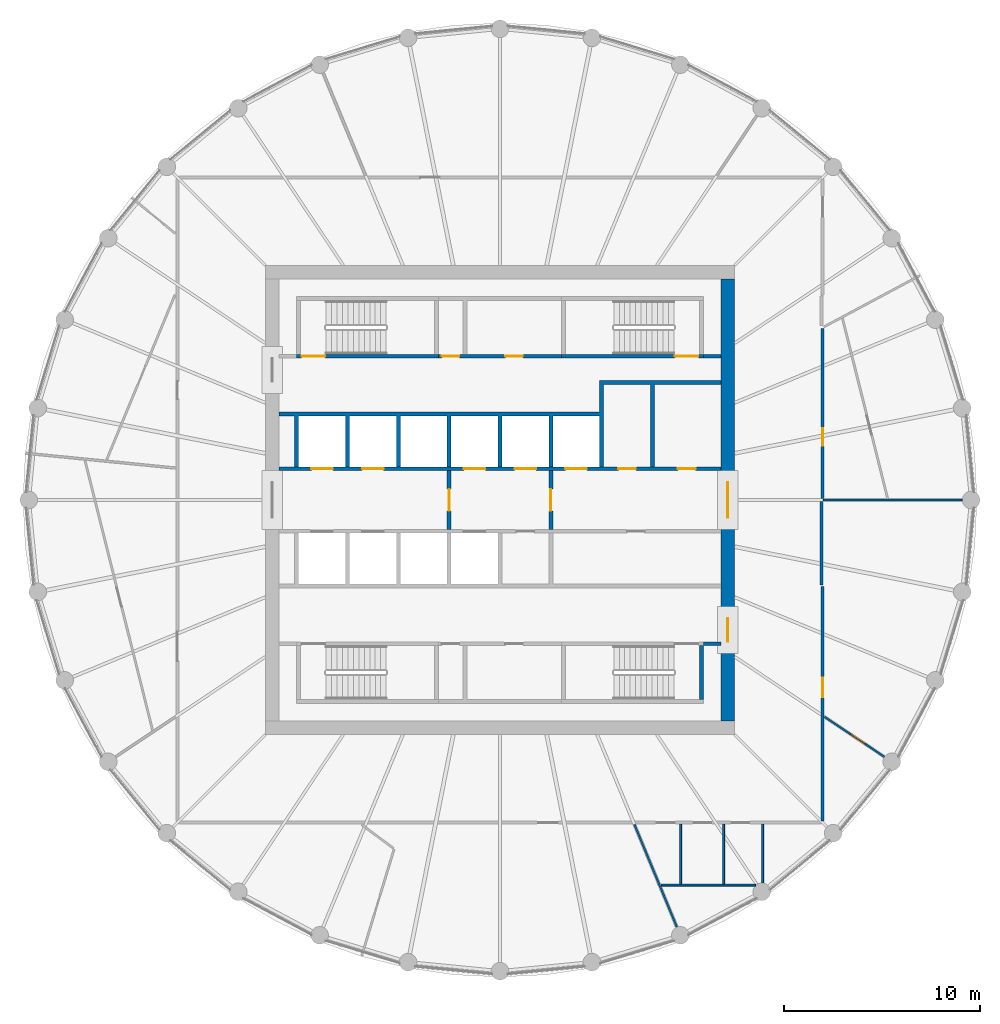
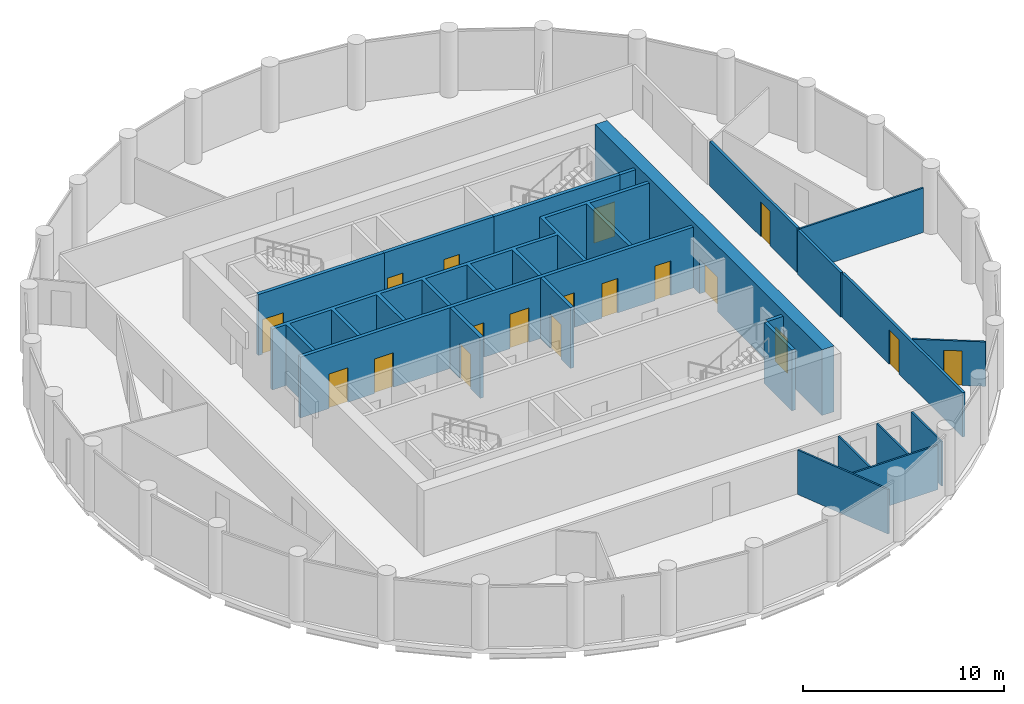
# One storey, part 5 of 7: 21 walls, 18 doors, 18 openings.
"""IFC4 building model written with IfcOpenShell, lengths in metres."""

import ifcopenshell
import ifcopenshell.guid

model = None  # the IFC model being written
_history = None  # IfcOwnerHistory: only IFC2X3 demands one
_inside = {}  # id of a spatial element -> (the spatial element, [elements in it])
_under = {}  # id of a project, library or spatial element -> (it, [spatial elements below it])
_declared = {}  # id of a project -> (the project, [libraries it declares])
_typed = {}  # id of a type object -> (the type object, [elements of that type])
_made_of = {}  # id of a material, layer set ... -> (it, [elements and type objects made of it])


def new_model(schema):
    """Start an empty IFC model of exactly this schema.

    Asked for "IFC4X3", IfcOpenShell would pick the latest addendum, in which some entities
    have other attributes; the version numbers below select the first issue.
    IFC2X3 requires an IfcOwnerHistory on every rooted entity: one is made here for all.
    """
    global model, _history
    if schema == "IFC4X3":
        model = ifcopenshell.file(schema_version=(4, 3, 0, 0))
    else:
        model = ifcopenshell.file(schema=schema)
    _inside.clear()
    _under.clear()
    _declared.clear()
    _typed.clear()
    _made_of.clear()
    _history = None
    if model.schema == "IFC2X3":
        org = make("IfcOrganization", Name="unknown")
        user = make(
            "IfcPersonAndOrganization",
            ThePerson=make("IfcPerson", FamilyName="unknown"),
            TheOrganization=org,
        )
        app = make(
            "IfcApplication",
            ApplicationDeveloper=org,
            Version="unknown",
            ApplicationFullName="unknown",
            ApplicationIdentifier="unknown",
        )
        _history = make(
            "IfcOwnerHistory",
            OwningUser=user,
            OwningApplication=app,
            ChangeAction="ADDED",
            CreationDate=0,
        )
    return model


def make(cls, **values):
    """One entity of the class cls with the attributes given. An attribute that is None is left unset."""
    return model.create_entity(
        cls, **{name: value for name, value in values.items() if value is not None}
    )


def rooted(cls, **values):
    """An entity with a GlobalId (a new one), such as an element, a storey or a relation."""
    return make(cls, GlobalId=ifcopenshell.guid.new(), OwnerHistory=_history, **values)


def si_unit(unit_type, name, prefix=None):
    """IfcSIUnit, for example si_unit("LENGTHUNIT", "METRE", prefix="MILLI")."""
    return make("IfcSIUnit", UnitType=unit_type, Prefix=prefix, Name=name)


def assignment(units):
    """IfcUnitAssignment: the units of a project."""
    return None if units is None else make("IfcUnitAssignment", Units=units)


def point(xyz):
    """IfcCartesianPoint."""
    return None if xyz is None else make("IfcCartesianPoint", Coordinates=xyz)


def direction(xyz):
    """IfcDirection."""
    return None if xyz is None else make("IfcDirection", DirectionRatios=xyz)


def frame(location, z_axis=None, x_axis=None):
    """IfcAxis2Placement3D, a coordinate frame: its origin and axes. An axis left out is left unset."""
    return make(
        "IfcAxis2Placement3D",
        Location=point(location),
        Axis=direction(z_axis),
        RefDirection=direction(x_axis),
    )


def frame_2d(location, x_axis=None):
    """IfcAxis2Placement2D, a coordinate frame in the plane: its origin and x axis."""
    return make(
        "IfcAxis2Placement2D", Location=point(location), RefDirection=direction(x_axis)
    )


def origin():
    """The frame at (0, 0, 0) with its axes left unset."""
    return frame((0.0, 0.0, 0.0))


def place(relative_to, where):
    """IfcLocalPlacement: puts the frame where relative to a parent placement (None: the world)."""
    return make(
        "IfcLocalPlacement", PlacementRelTo=relative_to, RelativePlacement=where
    )


def context(
    kind, dimensions, precision=None, world=None, true_north=None, identifier=None
):
    """IfcGeometricRepresentationContext, for example the 3D "Model" context."""
    return make(
        "IfcGeometricRepresentationContext",
        ContextIdentifier=identifier,
        ContextType=kind,
        CoordinateSpaceDimension=dimensions,
        Precision=precision,
        WorldCoordinateSystem=world,
        TrueNorth=true_north,
    )


def subcontext(parent, identifier, kind, view, scale=None):
    """IfcGeometricRepresentationSubContext, for example "Body" below "Model"."""
    return make(
        "IfcGeometricRepresentationSubContext",
        ContextIdentifier=identifier,
        ContextType=kind,
        ParentContext=parent,
        TargetScale=scale,
        TargetView=view,
    )


def project(units=None, contexts=None):
    """IfcProject with its units and contexts."""
    return rooted(
        "IfcProject",
        Name="project",
        RepresentationContexts=contexts,
        UnitsInContext=assignment(units),
    )


def spatial(cls, under=None, at=None, **own):
    """A site, building, storey or space (cls), placed at a placement, below another one or the project."""
    s = rooted(cls, ObjectPlacement=at, **own)
    if under is not None:
        _under.setdefault(under.id(), (under, []))[1].append(s)
    return s


def polyline(points):
    """IfcPolyline through the points."""
    return make("IfcPolyline", Points=[point(p) for p in points])


def profile(cls, at=None, kind="AREA", **sizes):
    """A parametric profile (cls). Its sizes go by their IFC names, for example OverallWidth=200.0."""
    return make(cls, ProfileType=kind, Position=at, **sizes)


def rectangle(**sizes):
    """IfcRectangleProfileDef."""
    return profile("IfcRectangleProfileDef", **sizes)


def outline(outer, holes=None, kind="AREA"):
    """IfcArbitraryClosedProfileDef: a profile drawn as a closed curve; with holes, ...WithVoids."""
    if holes is None:
        return make("IfcArbitraryClosedProfileDef", ProfileType=kind, OuterCurve=outer)
    return make(
        "IfcArbitraryProfileDefWithVoids",
        ProfileType=kind,
        OuterCurve=outer,
        InnerCurves=holes,
    )


def extrude(swept, where, along, depth):
    """IfcExtrudedAreaSolid: the profile swept, set in the frame where, extruded along a direction by depth."""
    return make(
        "IfcExtrudedAreaSolid",
        SweptArea=swept,
        Position=where,
        ExtrudedDirection=direction(along),
        Depth=depth,
    )


def shape(context_of_items, identifier, shape_type, items):
    """IfcShapeRepresentation: the items that make up one representation, for example the "Body"."""
    return make(
        "IfcShapeRepresentation",
        ContextOfItems=context_of_items,
        RepresentationIdentifier=identifier,
        RepresentationType=shape_type,
        Items=items,
    )


def material(Name=None, Category=None):
    """IfcMaterial."""
    return make("IfcMaterial", Name=Name, Category=Category)


def layer(
    of_material, thickness, ventilated=None, Name=None, Category=None, Priority=None
):
    """IfcMaterialLayer: one layer of a wall or slab, of a material (None: an air gap)."""
    return make(
        "IfcMaterialLayer",
        Material=of_material,
        LayerThickness=thickness,
        IsVentilated=ventilated,
        Name=Name,
        Category=Category,
        Priority=Priority,
    )


def layer_set(layers, Name=None):
    """IfcMaterialLayerSet."""
    return make("IfcMaterialLayerSet", MaterialLayers=layers, LayerSetName=Name)


def made_of(thing, what):
    """Note that an element or type object is made of a material, layer set ...; save() writes the relation."""
    if what is not None:
        _made_of.setdefault(what.id(), (what, []))[1].append(thing)
    return thing


def type_object(cls, material=None, **own):
    """A type object (cls), such as IfcWallType, which elements share."""
    return made_of(rooted(cls, **own), material)


def element(
    cls,
    number,
    at=None,
    inside=None,
    cuts=None,
    type_object=None,
    material=None,
    context=None,
    identifier="Body",
    shape_type=None,
    held_by="IfcProductDefinitionShape",
    body=None,
    shapes=None,
    **own,
):
    """One element of the class cls, such as IfcWall. Its Tag is "e" and its number.

    at: its placement. inside: the storey or other place that contains it. cuts: it is an
    opening in that element (IfcRelVoidsElement). A single representation is given by context,
    identifier, shape_type and body (its items); several are given by shapes. held_by: the class
    of the entity that holds the representations. save() writes the other relations.
    """
    e = rooted(cls, Tag="e%d" % number, ObjectPlacement=at, **own)
    if body is not None:
        shapes = [shape(context, identifier, shape_type, body)]
    if shapes is not None:
        e.Representation = make(held_by, Representations=shapes)
    if inside is not None:
        _inside.setdefault(inside.id(), (inside, []))[1].append(e)
    if cuts is not None:
        rooted(
            "IfcRelVoidsElement", RelatingBuildingElement=cuts, RelatedOpeningElement=e
        )
    if type_object is not None:
        _typed.setdefault(type_object.id(), (type_object, []))[1].append(e)
    return made_of(e, material)


def fill(opening, filler):
    """IfcRelFillsElement: the door or window that sits in an opening."""
    return rooted(
        "IfcRelFillsElement",
        RelatingOpeningElement=opening,
        RelatedBuildingElement=filler,
    )


def aggregate(whole, parts):
    """IfcRelAggregates: a whole, such as a stair, and the parts it consists of."""
    return rooted("IfcRelAggregates", RelatingObject=whole, RelatedObjects=parts)


def save(model, path):
    """Write the relations noted so far, then the file.

    IfcRelAggregates (storeys below a building ...), IfcRelContainedInSpatialStructure (elements
    in a storey), IfcRelDefinesByType, IfcRelAssociatesMaterial and IfcRelDeclares: one each for
    every whole, place, type object, material and project.
    """
    for whole, parts in _under.values():
        aggregate(whole, parts)
    for where, things in _inside.values():
        rooted(
            "IfcRelContainedInSpatialStructure",
            RelatedElements=things,
            RelatingStructure=where,
        )
    for kind, things in _typed.values():
        rooted("IfcRelDefinesByType", RelatedObjects=things, RelatingType=kind)
    for what, things in _made_of.values():
        rooted("IfcRelAssociatesMaterial", RelatedObjects=things, RelatingMaterial=what)
    for by, libraries in _declared.values():
        rooted("IfcRelDeclares", RelatingContext=by, RelatedDefinitions=libraries)
    model.write(path)


model = new_model("IFC4")

# Units and contexts
model_context = context("Model", 3, precision=1e-05, world=origin(), true_north=direction((0.0, 1.0)))
body_context = subcontext(model_context, "Body", "Model", "MODEL_VIEW")
ifc_project = project(units=[si_unit("LENGTHUNIT", "METRE"), si_unit("AREAUNIT", "SQUARE_METRE"), si_unit("VOLUMEUNIT", "CUBIC_METRE"), si_unit("PLANEANGLEUNIT", "RADIAN"), si_unit("MASSUNIT", "GRAM", prefix="KILO")], contexts=[model_context])

# Site, building, storey
site_placement = place(None, origin())
site = spatial("IfcSite", under=ifc_project, at=site_placement, CompositionType="ELEMENT")
building_placement = place(site_placement, origin())
building = spatial("IfcBuilding", under=site, at=building_placement, Name="Corvane Civic Tower", CompositionType="ELEMENT")
storey_placement = place(building_placement, frame((0.0, 0.0, 271.0)))
storey = spatial("IfcBuildingStorey", under=building, at=storey_placement, Name="L64", CompositionType="ELEMENT", Elevation=271.0)

# Wall, openings, doors
ifc_material_1 = material(Name="Concrete C40/50", Category="concrete")
ifc_layer_1 = layer(ifc_material_1, 0.699951171875)
ifc_layer_set_1 = layer_set([ifc_layer_1], Name="Concrete C40/50")
wall_type_1 = type_object("IfcWallType", Name="CORE WALL 700 C40/50", PredefinedType="SHEAR", material=ifc_layer_set_1)
wall_1_placement = place(storey_placement, frame((11.64990234375, -11.300048828125, 0.0), z_axis=(0.0, 0.0, 1.0), x_axis=(0.0, 1.0, 0.0)))
wall_1 = element("IfcWall", 1, at=wall_1_placement, inside=storey, type_object=wall_type_1, Name="W-L64-core-E", PredefinedType="SHEAR", context=body_context, shape_type="SweptSolid", body=[
    extrude(rectangle(XDim=22.60009765625, YDim=0.699951171875, at=frame_2d((11.300048828125, 0.0))), origin(), (0.0, 0.0, 1.0), 4.0),
])
opening_1_placement = place(wall_1_placement, frame((10.39990234375, 0.0, 0.0)))
opening_1 = element("IfcOpeningElement", 2, at=opening_1_placement, cuts=wall_1, Name="Opening L64.C16", PredefinedType="OPENING", context=body_context, shape_type="SweptSolid", body=[
    extrude(rectangle(XDim=1.800048828125, YDim=2.10009765625, at=frame_2d((0.89990234375, 1.050048828125))), frame((0.0, 0.35986328125, 0.0), z_axis=(0.0, -1.0, 0.0), x_axis=(1.0, 0.0, 0.0)), (0.0, 0.0, 1.0), 0.719970703125),
])
opening_2_placement = place(wall_1_placement, frame((4.050048828125, 0.0, 0.0)))
opening_2 = element("IfcOpeningElement", 3, at=opening_2_placement, cuts=wall_1, Name="Opening L64.C18", PredefinedType="OPENING", context=body_context, shape_type="SweptSolid", body=[
    extrude(rectangle(XDim=1.199951171875, YDim=2.10009765625, at=frame_2d((0.60009765625, 1.050048828125))), frame((0.0, 0.35986328125, 0.0), z_axis=(0.0, -1.0, 0.0), x_axis=(1.0, 0.0, 0.0)), (0.0, 0.0, 1.0), 0.719970703125),
])
ifc_material_2 = material(Name="Steel fire door leaf", Category="steel")
door_type_1 = type_object("IfcDoorType", Name="CR-DOOR-CORE-1800", OperationType="DOUBLE_DOOR_SINGLE_SWING", PredefinedType="DOOR", material=ifc_material_2)
door_1_placement = place(opening_1_placement, origin())
door_1 = element("IfcDoor", 4, at=door_1_placement, inside=storey, type_object=door_type_1, Name="L64 door", OperationType="DOUBLE_DOOR_SINGLE_SWING", OverallHeight=2.10009765625, OverallWidth=1.800048828125, PredefinedType="DOOR", context=body_context, shape_type="SweptSolid", body=[
    extrude(rectangle(XDim=1.800048828125, YDim=2.10009765625, at=frame_2d((0.89990234375, 1.050048828125))), frame((0.0, 0.02490234375, 0.0), z_axis=(0.0, -1.0, 0.0), x_axis=(1.0, 0.0, 0.0)), (0.0, 0.0, 1.0), 0.050048828125),
])
fill(opening_1, door_1)
door_2_placement = place(opening_2_placement, origin())
door_2 = element("IfcDoor", 5, at=door_2_placement, inside=storey, type_object=door_type_1, Name="L64 door", OperationType="DOUBLE_DOOR_SINGLE_SWING", OverallHeight=2.10009765625, OverallWidth=1.199951171875, PredefinedType="DOOR", context=body_context, shape_type="SweptSolid", body=[
    extrude(rectangle(XDim=1.199951171875, YDim=2.10009765625, at=frame_2d((0.60009765625, 1.050048828125))), frame((0.0, 0.02490234375, 0.0), z_axis=(0.0, -1.0, 0.0), x_axis=(1.0, 0.0, 0.0)), (0.0, 0.0, 1.0), 0.050048828125),
])
fill(opening_2, door_2)

ifc_material_3 = material(Name="Concrete C30/37", Category="concrete")
ifc_layer_2 = layer(ifc_material_3, 0.199951171875)
ifc_layer_set_2 = layer_set([ifc_layer_2], Name="Concrete C30/37")
wall_type_2 = type_object("IfcWallType", Name="CR-WALL-200", PredefinedType="PARTITIONING", material=ifc_layer_set_2)
wall_2_placement = place(storey_placement, frame((-11.300048828125, 1.60009765625, 0.0), z_axis=(0.0, 0.0, 1.0), x_axis=(1.0, 0.0, 0.0)))
wall_2 = element("IfcWall", 6, at=wall_2_placement, inside=storey, type_object=wall_type_2, Name="L64 lift shaft wall", PredefinedType="PARTITIONING", context=body_context, shape_type="SweptSolid", body=[
    extrude(rectangle(XDim=22.60009765625, YDim=0.199951171875, at=frame_2d((11.300048828125, 0.0))), origin(), (0.0, 0.0, 1.0), 3.699951171875),
])
opening_3_placement = place(wall_2_placement, frame((1.64990234375, 0.0, 0.0)))
opening_3 = element("IfcOpeningElement", 7, at=opening_3_placement, cuts=wall_2, Name="Opening LD", PredefinedType="OPENING", context=body_context, shape_type="SweptSolid", body=[
    extrude(rectangle(XDim=1.10009765625, YDim=2.10009765625, at=frame_2d((0.550048828125, 1.050048828125))), frame((0.0, 0.10986328125, 0.0), z_axis=(0.0, -1.0, 0.0), x_axis=(1.0, 0.0, 0.0)), (0.0, 0.0, 1.0), 0.219970703125),
])
opening_4_placement = place(wall_2_placement, frame((4.25, 0.0, 0.0)))
opening_4 = element("IfcOpeningElement", 8, at=opening_4_placement, cuts=wall_2, Name="Opening LD", PredefinedType="OPENING", context=body_context, shape_type="SweptSolid", body=[
    extrude(rectangle(XDim=1.10009765625, YDim=2.10009765625, at=frame_2d((0.550048828125, 1.050048828125))), frame((0.0, 0.10986328125, 0.0), z_axis=(0.0, -1.0, 0.0), x_axis=(1.0, 0.0, 0.0)), (0.0, 0.0, 1.0), 0.219970703125),
])
opening_5_placement = place(wall_2_placement, frame((9.449951171875, 0.0, 0.0)))
opening_5 = element("IfcOpeningElement", 9, at=opening_5_placement, cuts=wall_2, Name="Opening LD", PredefinedType="OPENING", context=body_context, shape_type="SweptSolid", body=[
    extrude(rectangle(XDim=1.10009765625, YDim=2.10009765625, at=frame_2d((0.550048828125, 1.050048828125))), frame((0.0, 0.10986328125, 0.0), z_axis=(0.0, -1.0, 0.0), x_axis=(1.0, 0.0, 0.0)), (0.0, 0.0, 1.0), 0.219970703125),
])
opening_6_placement = place(wall_2_placement, frame((12.050048828125, 0.0, 0.0)))
opening_6 = element("IfcOpeningElement", 10, at=opening_6_placement, cuts=wall_2, Name="Opening LD", PredefinedType="OPENING", context=body_context, shape_type="SweptSolid", body=[
    extrude(rectangle(XDim=1.10009765625, YDim=2.10009765625, at=frame_2d((0.550048828125, 1.050048828125))), frame((0.0, 0.10986328125, 0.0), z_axis=(0.0, -1.0, 0.0), x_axis=(1.0, 0.0, 0.0)), (0.0, 0.0, 1.0), 0.219970703125),
])
opening_7_placement = place(wall_2_placement, frame((14.64990234375, 0.0, 0.0)))
opening_7 = element("IfcOpeningElement", 11, at=opening_7_placement, cuts=wall_2, Name="Opening LD", PredefinedType="OPENING", context=body_context, shape_type="SweptSolid", body=[
    extrude(rectangle(XDim=1.10009765625, YDim=2.10009765625, at=frame_2d((0.550048828125, 1.050048828125))), frame((0.0, 0.10986328125, 0.0), z_axis=(0.0, -1.0, 0.0), x_axis=(1.0, 0.0, 0.0)), (0.0, 0.0, 1.0), 0.219970703125),
])
opening_8_placement = place(wall_2_placement, frame((17.35009765625, 0.0, 0.0)))
opening_8 = element("IfcOpeningElement", 12, at=opening_8_placement, cuts=wall_2, Name="Opening L64.C01", PredefinedType="OPENING", context=body_context, shape_type="SweptSolid", body=[
    extrude(rectangle(XDim=0.89990234375, YDim=2.10009765625, at=frame_2d((0.449951171875, 1.050048828125))), frame((0.0, 0.10986328125, 0.0), z_axis=(0.0, -1.0, 0.0), x_axis=(1.0, 0.0, 0.0)), (0.0, 0.0, 1.0), 0.219970703125),
])
opening_9_placement = place(wall_2_placement, frame((20.39990234375, 0.0, 0.0)))
opening_9 = element("IfcOpeningElement", 13, at=opening_9_placement, cuts=wall_2, Name="Opening L64.C02", PredefinedType="OPENING", context=body_context, shape_type="SweptSolid", body=[
    extrude(rectangle(XDim=0.89990234375, YDim=2.10009765625, at=frame_2d((0.449951171875, 1.050048828125))), frame((0.0, 0.10986328125, 0.0), z_axis=(0.0, -1.0, 0.0), x_axis=(1.0, 0.0, 0.0)), (0.0, 0.0, 1.0), 0.219970703125),
])
ifc_material_4 = material(Name="Steel fire door leaf", Category="steel")
door_type_2 = type_object("IfcDoorType", Name="CR-DOOR-900", OperationType="SINGLE_SWING_LEFT", PredefinedType="DOOR", material=ifc_material_4)
door_3_placement = place(opening_8_placement, origin())
door_3 = element("IfcDoor", 14, at=door_3_placement, inside=storey, type_object=door_type_2, Name="L64 door", OperationType="SINGLE_SWING_LEFT", OverallHeight=2.10009765625, OverallWidth=0.89990234375, PredefinedType="DOOR", context=body_context, shape_type="SweptSolid", body=[
    extrude(rectangle(XDim=0.89990234375, YDim=2.10009765625, at=frame_2d((0.449951171875, 1.050048828125))), frame((0.0, 0.02490234375, 0.0), z_axis=(0.0, -1.0, 0.0), x_axis=(1.0, 0.0, 0.0)), (0.0, 0.0, 1.0), 0.050048828125),
])
fill(opening_8, door_3)
door_4_placement = place(opening_9_placement, origin())
door_4 = element("IfcDoor", 15, at=door_4_placement, inside=storey, type_object=door_type_2, Name="L64 door", OperationType="SINGLE_SWING_LEFT", OverallHeight=2.10009765625, OverallWidth=0.89990234375, PredefinedType="DOOR", context=body_context, shape_type="SweptSolid", body=[
    extrude(rectangle(XDim=0.89990234375, YDim=2.10009765625, at=frame_2d((0.449951171875, 1.050048828125))), frame((0.0, 0.02490234375, 0.0), z_axis=(0.0, -1.0, 0.0), x_axis=(1.0, 0.0, 0.0)), (0.0, 0.0, 1.0), 0.050048828125),
])
fill(opening_9, door_4)
ifc_material_5 = material(Name="Stainless steel 316 door leaves", Category="steel")
door_type_3 = type_object("IfcDoorType", Name="LD", OperationType="DOUBLE_DOOR_SLIDING", PredefinedType="DOOR", material=ifc_material_5)
door_5_placement = place(opening_3_placement, origin())
door_5 = element("IfcDoor", 16, at=door_5_placement, inside=storey, type_object=door_type_3, Name="L64 landing door", OperationType="DOUBLE_DOOR_SLIDING", OverallHeight=2.10009765625, OverallWidth=1.10009765625, PredefinedType="DOOR", context=body_context, shape_type="SweptSolid", body=[
    extrude(rectangle(XDim=1.10009765625, YDim=2.10009765625, at=frame_2d((0.550048828125, 1.050048828125))), frame((0.0, 0.02490234375, 0.0), z_axis=(0.0, -1.0, 0.0), x_axis=(1.0, 0.0, 0.0)), (0.0, 0.0, 1.0), 0.050048828125),
])
fill(opening_3, door_5)
door_6_placement = place(opening_4_placement, origin())
door_6 = element("IfcDoor", 17, at=door_6_placement, inside=storey, type_object=door_type_3, Name="L64 landing door", OperationType="DOUBLE_DOOR_SLIDING", OverallHeight=2.10009765625, OverallWidth=1.10009765625, PredefinedType="DOOR", context=body_context, shape_type="SweptSolid", body=[
    extrude(rectangle(XDim=1.10009765625, YDim=2.10009765625, at=frame_2d((0.550048828125, 1.050048828125))), frame((0.0, 0.02490234375, 0.0), z_axis=(0.0, -1.0, 0.0), x_axis=(1.0, 0.0, 0.0)), (0.0, 0.0, 1.0), 0.050048828125),
])
fill(opening_4, door_6)
door_7_placement = place(opening_5_placement, origin())
door_7 = element("IfcDoor", 18, at=door_7_placement, inside=storey, type_object=door_type_3, Name="L64 landing door", OperationType="DOUBLE_DOOR_SLIDING", OverallHeight=2.10009765625, OverallWidth=1.10009765625, PredefinedType="DOOR", context=body_context, shape_type="SweptSolid", body=[
    extrude(rectangle(XDim=1.10009765625, YDim=2.10009765625, at=frame_2d((0.550048828125, 1.050048828125))), frame((0.0, 0.02490234375, 0.0), z_axis=(0.0, -1.0, 0.0), x_axis=(1.0, 0.0, 0.0)), (0.0, 0.0, 1.0), 0.050048828125),
])
fill(opening_5, door_7)
door_8_placement = place(opening_6_placement, origin())
door_8 = element("IfcDoor", 19, at=door_8_placement, inside=storey, type_object=door_type_3, Name="L64 landing door", OperationType="DOUBLE_DOOR_SLIDING", OverallHeight=2.10009765625, OverallWidth=1.10009765625, PredefinedType="DOOR", context=body_context, shape_type="SweptSolid", body=[
    extrude(rectangle(XDim=1.10009765625, YDim=2.10009765625, at=frame_2d((0.550048828125, 1.050048828125))), frame((0.0, 0.02490234375, 0.0), z_axis=(0.0, -1.0, 0.0), x_axis=(1.0, 0.0, 0.0)), (0.0, 0.0, 1.0), 0.050048828125),
])
fill(opening_6, door_8)
door_9_placement = place(opening_7_placement, origin())
door_9 = element("IfcDoor", 20, at=door_9_placement, inside=storey, type_object=door_type_3, Name="L64 landing door", OperationType="DOUBLE_DOOR_SLIDING", OverallHeight=2.10009765625, OverallWidth=1.10009765625, PredefinedType="DOOR", context=body_context, shape_type="SweptSolid", body=[
    extrude(rectangle(XDim=1.10009765625, YDim=2.10009765625, at=frame_2d((0.550048828125, 1.050048828125))), frame((0.0, 0.02490234375, 0.0), z_axis=(0.0, -1.0, 0.0), x_axis=(1.0, 0.0, 0.0)), (0.0, 0.0, 1.0), 0.050048828125),
])
fill(opening_7, door_9)

wall_3_placement = place(storey_placement, frame((-3.14990234375, 7.35009765625, 0.0), z_axis=(0.0, 0.0, 1.0), x_axis=(1.0, 0.0, 0.0)))
wall_3 = element("IfcWall", 21, at=wall_3_placement, inside=storey, type_object=wall_type_2, Name="L64 core partition wall", PredefinedType="PARTITIONING", context=body_context, shape_type="SweptSolid", body=[
    extrude(rectangle(XDim=6.2998046875, YDim=0.199951171875, at=frame_2d((3.14990234375, 0.0))), origin(), (0.0, 0.0, 1.0), 3.699951171875),
])
opening_10_placement = place(wall_3_placement, frame((0.175048828125, 0.0, 0.0)))
opening_10 = element("IfcOpeningElement", 22, at=opening_10_placement, cuts=wall_3, Name="Opening L64.C05", PredefinedType="OPENING", context=body_context, shape_type="SweptSolid", body=[
    extrude(rectangle(XDim=0.89990234375, YDim=2.10009765625, at=frame_2d((0.449951171875, 1.050048828125))), frame((0.0, 0.10986328125, 0.0), z_axis=(0.0, -1.0, 0.0), x_axis=(1.0, 0.0, 0.0)), (0.0, 0.0, 1.0), 0.219970703125),
])
opening_11_placement = place(wall_3_placement, frame((3.425048828125, 0.0, 0.0)))
opening_11 = element("IfcOpeningElement", 23, at=opening_11_placement, cuts=wall_3, Name="Opening L64.C06", PredefinedType="OPENING", context=body_context, shape_type="SweptSolid", body=[
    extrude(rectangle(XDim=0.89990234375, YDim=2.10009765625, at=frame_2d((0.449951171875, 1.050048828125))), frame((0.0, 0.10986328125, 0.0), z_axis=(0.0, -1.0, 0.0), x_axis=(1.0, 0.0, 0.0)), (0.0, 0.0, 1.0), 0.219970703125),
])
door_10_placement = place(opening_10_placement, origin())
door_10 = element("IfcDoor", 24, at=door_10_placement, inside=storey, type_object=door_type_2, Name="L64 door", OperationType="SINGLE_SWING_LEFT", OverallHeight=2.10009765625, OverallWidth=0.89990234375, PredefinedType="DOOR", context=body_context, shape_type="SweptSolid", body=[
    extrude(rectangle(XDim=0.89990234375, YDim=2.10009765625, at=frame_2d((0.449951171875, 1.050048828125))), frame((0.0, 0.02490234375, 0.0), z_axis=(0.0, -1.0, 0.0), x_axis=(1.0, 0.0, 0.0)), (0.0, 0.0, 1.0), 0.050048828125),
])
fill(opening_10, door_10)
door_11_placement = place(opening_11_placement, origin())
door_11 = element("IfcDoor", 25, at=door_11_placement, inside=storey, type_object=door_type_2, Name="L64 door", OperationType="SINGLE_SWING_LEFT", OverallHeight=2.10009765625, OverallWidth=0.89990234375, PredefinedType="DOOR", context=body_context, shape_type="SweptSolid", body=[
    extrude(rectangle(XDim=0.89990234375, YDim=2.10009765625, at=frame_2d((0.449951171875, 1.050048828125))), frame((0.0, 0.02490234375, 0.0), z_axis=(0.0, -1.0, 0.0), x_axis=(1.0, 0.0, 0.0)), (0.0, 0.0, 1.0), 0.050048828125),
])
fill(opening_11, door_11)

# Wall, opening, door
wall_4_placement = place(storey_placement, frame((-2.60009765625, -1.5, 0.0), z_axis=(0.0, 0.0, 1.0), x_axis=(0.0, 1.0, 0.0)))
wall_4 = element("IfcWall", 26, at=wall_4_placement, inside=storey, type_object=wall_type_2, Name="L64 firefighting lobby wall", PredefinedType="PARTITIONING", context=body_context, shape_type="SweptSolid", body=[
    extrude(rectangle(XDim=3.0, YDim=0.199951171875, at=frame_2d((1.5, 0.0))), origin(), (0.0, 0.0, 1.0), 3.699951171875),
])
opening_12_placement = place(wall_4_placement, frame((0.949951171875, 0.0, 0.0)))
opening_12 = element("IfcOpeningElement", 27, at=opening_12_placement, cuts=wall_4, Name="Opening L64.C13", PredefinedType="OPENING", context=body_context, shape_type="SweptSolid", body=[
    extrude(rectangle(XDim=1.10009765625, YDim=2.10009765625, at=frame_2d((0.550048828125, 1.050048828125))), frame((0.0, 0.10986328125, 0.0), z_axis=(0.0, -1.0, 0.0), x_axis=(1.0, 0.0, 0.0)), (0.0, 0.0, 1.0), 0.219970703125),
])
ifc_material_6 = material(Name="Steel fire door leaf", Category="steel")
door_type_4 = type_object("IfcDoorType", Name="CR-DOOR-FFL-1100", OperationType="SINGLE_SWING_LEFT", PredefinedType="DOOR", material=ifc_material_6)
door_12_placement = place(opening_12_placement, origin())
door_12 = element("IfcDoor", 28, at=door_12_placement, inside=storey, type_object=door_type_4, Name="L64 lobby door", OperationType="SINGLE_SWING_LEFT", OverallHeight=2.10009765625, OverallWidth=1.10009765625, PredefinedType="DOOR", context=body_context, shape_type="SweptSolid", body=[
    extrude(rectangle(XDim=1.10009765625, YDim=2.10009765625, at=frame_2d((0.550048828125, 1.050048828125))), frame((0.0, 0.02490234375, 0.0), z_axis=(0.0, -1.0, 0.0), x_axis=(1.0, 0.0, 0.0)), (0.0, 0.0, 1.0), 0.050048828125),
])
fill(opening_12, door_12)

wall_5_placement = place(storey_placement, frame((2.60009765625, -1.5, 0.0), z_axis=(0.0, 0.0, 1.0), x_axis=(0.0, 1.0, 0.0)))
wall_5 = element("IfcWall", 29, at=wall_5_placement, inside=storey, type_object=wall_type_2, Name="L64 firefighting lobby wall", PredefinedType="PARTITIONING", context=body_context, shape_type="SweptSolid", body=[
    extrude(rectangle(XDim=3.0, YDim=0.199951171875, at=frame_2d((1.5, 0.0))), origin(), (0.0, 0.0, 1.0), 3.699951171875),
])
opening_13_placement = place(wall_5_placement, frame((0.949951171875, 0.0, 0.0)))
opening_13 = element("IfcOpeningElement", 30, at=opening_13_placement, cuts=wall_5, Name="Opening L64.C14", PredefinedType="OPENING", context=body_context, shape_type="SweptSolid", body=[
    extrude(rectangle(XDim=1.10009765625, YDim=2.10009765625, at=frame_2d((0.550048828125, 1.050048828125))), frame((0.0, 0.10986328125, 0.0), z_axis=(0.0, -1.0, 0.0), x_axis=(1.0, 0.0, 0.0)), (0.0, 0.0, 1.0), 0.219970703125),
])
door_13_placement = place(opening_13_placement, origin())
door_13 = element("IfcDoor", 31, at=door_13_placement, inside=storey, type_object=door_type_4, Name="L64 lobby door", OperationType="SINGLE_SWING_LEFT", OverallHeight=2.10009765625, OverallWidth=1.10009765625, PredefinedType="DOOR", context=body_context, shape_type="SweptSolid", body=[
    extrude(rectangle(XDim=1.10009765625, YDim=2.10009765625, at=frame_2d((0.550048828125, 1.050048828125))), frame((0.0, 0.02490234375, 0.0), z_axis=(0.0, -1.0, 0.0), x_axis=(1.0, 0.0, 0.0)), (0.0, 0.0, 1.0), 0.050048828125),
])
fill(opening_13, door_13)

# Walls
wall_6_placement = place(storey_placement, origin())
element("IfcWall", 32, at=wall_6_placement, inside=storey, type_object=wall_type_2, Name="L64 core partition wall", PredefinedType="PARTITIONING", context=body_context, shape_type="SweptSolid", body=[
    extrude(outline(polyline([(-10.5, 1.699951171875), (-10.5, 4.300048828125), (-11.300048828125, 4.300048828125), (-11.300048828125, 4.5), (5.10009765625, 4.5), (5.10009765625, 6.10009765625), (11.300048828125, 6.10009765625), (11.300048828125, 5.89990234375), (7.89990234375, 5.89990234375), (7.89990234375, 1.699951171875), (7.699951171875, 1.699951171875), (7.699951171875, 5.89990234375), (5.300048828125, 5.89990234375), (5.300048828125, 1.699951171875), (5.10009765625, 1.699951171875), (5.10009765625, 4.300048828125), (2.699951171875, 4.300048828125), (2.699951171875, 1.699951171875), (2.5, 1.699951171875), (2.5, 4.300048828125), (0.10009765625, 4.300048828125), (0.10009765625, 1.699951171875), (-0.10009765625, 1.699951171875), (-0.10009765625, 4.300048828125), (-2.5, 4.300048828125), (-2.5, 1.699951171875), (-2.699951171875, 1.699951171875), (-2.699951171875, 4.300048828125), (-5.10009765625, 4.300048828125), (-5.10009765625, 1.699951171875), (-5.300048828125, 1.699951171875), (-5.300048828125, 4.300048828125), (-7.699951171875, 4.300048828125), (-7.699951171875, 1.699951171875), (-7.89990234375, 1.699951171875), (-7.89990234375, 4.300048828125), (-10.300048828125, 4.300048828125), (-10.300048828125, 1.699951171875), (-10.5, 1.699951171875)])), origin(), (0.0, 0.0, 1.0), 3.699951171875),
])
wall_7_placement = place(storey_placement, origin())
element("IfcWall", 33, at=wall_7_placement, inside=storey, type_object=wall_type_2, Name="L64 core partition wall", PredefinedType="PARTITIONING", context=body_context, shape_type="SweptSolid", body=[
    extrude(outline(polyline([(11.300048828125, -7.449951171875), (10.39990234375, -7.449951171875), (10.39990234375, -7.25), (11.300048828125, -7.25), (11.300048828125, -7.449951171875)])), origin(), (0.0, 0.0, 1.0), 3.699951171875),
])
wall_8_placement = place(storey_placement, origin())
element("IfcWall", 34, at=wall_8_placement, inside=storey, type_object=wall_type_2, Name="L64 core partition wall", PredefinedType="PARTITIONING", context=body_context, shape_type="SweptSolid", body=[
    extrude(outline(polyline([(10.39990234375, 7.25), (10.39990234375, 7.449951171875), (11.300048828125, 7.449951171875), (11.300048828125, 7.25), (10.39990234375, 7.25)])), origin(), (0.0, 0.0, 1.0), 3.699951171875),
])
ifc_material_7 = material(Name="Plasterboard")
ifc_layer_3 = layer(ifc_material_7, 0.10009765625)
ifc_layer_set_3 = layer_set([ifc_layer_3], Name="Plasterboard")
wall_type_3 = type_object("IfcWallType", Name="Partition 100 plasterboard on studs", PredefinedType="PARTITIONING", material=ifc_layer_set_3)
wall_9_placement = place(storey_placement, frame((6.87353515625, -16.593994140625, 0.0), z_axis=(0.0, 0.0, 1.0), x_axis=(0.382682139097, -0.9238800682, 0.0)))
element("IfcWall", 35, at=wall_9_placement, inside=storey, type_object=wall_type_3, Name="Partition L64.002", PredefinedType="PARTITIONING", context=body_context, shape_type="SweptSolid", body=[
    extrude(rectangle(XDim=5.6787109375, YDim=0.10009765625, at=frame_2d((2.83935546875, 0.0))), origin(), (0.0, 0.0, 1.0), 2.699951171875),
])
wall_10_placement = place(storey_placement, frame((8.23486328125, -19.699951171875, 0.0), z_axis=(0.0, 0.0, 1.0), x_axis=(1.0, 0.0, 0.0)))
element("IfcWall", 36, at=wall_10_placement, inside=storey, type_object=wall_type_3, Name="Partition L64.003", PredefinedType="PARTITIONING", context=body_context, shape_type="SweptSolid", body=[
    extrude(rectangle(XDim=4.843505859375, YDim=0.10009765625, at=frame_2d((2.421875, 0.0))), origin(), (0.0, 0.0, 1.0), 2.699951171875),
])
for number, where, z_axis, x_axis, name in (
    (37, (9.234619140625, -19.64990234375, 0.0), (0.0, 0.0, 1.0), (0.0, 1.0, 0.0), "Partition L64.004"),
    (38, (11.4345703125, -19.64990234375, 0.0), (0.0, 0.0, 1.0), (0.0, 1.0, 0.0), "Partition L64.005"),
):
    element("IfcWall", number, at=place(storey_placement, frame(where, z_axis=z_axis, x_axis=x_axis)), inside=storey, type_object=wall_type_3, Name=name, PredefinedType="PARTITIONING", context=body_context, shape_type="SweptSolid", body=[
        extrude(rectangle(XDim=3.074951171875, YDim=0.10009765625, at=frame_2d((1.53759765625, 0.0))), origin(), (0.0, 0.0, 1.0), 2.699951171875),
    ])
wall_11_placement = place(storey_placement, frame((13.4345703125, -19.58056640625, 0.0), z_axis=(0.0, 0.0, 1.0), x_axis=(0.0, 1.0, 0.0)))
element("IfcWall", 39, at=wall_11_placement, inside=storey, type_object=wall_type_3, Name="Partition L64.006", PredefinedType="PARTITIONING", context=body_context, shape_type="SweptSolid", body=[
    extrude(rectangle(XDim=3.005615234375, YDim=0.10009765625, at=frame_2d((1.5029296875, 0.0))), origin(), (0.0, 0.0, 1.0), 2.699951171875),
])

# Wall, opening, door
wall_12_placement = place(storey_placement, frame((16.602783203125, -11.093505859375, 0.0), z_axis=(0.0, 0.0, 1.0), x_axis=(0.831477046095, -0.555559107402, 0.0)))
wall_12 = element("IfcWall", 40, at=wall_12_placement, inside=storey, type_object=wall_type_3, Name="Partition L64.012", PredefinedType="PARTITIONING", context=body_context, shape_type="SweptSolid", body=[
    extrude(rectangle(XDim=3.672119140625, YDim=0.10009765625, at=frame_2d((1.8359375, 0.0))), origin(), (0.0, 0.0, 1.0), 2.699951171875),
])
opening_14_placement = place(wall_12_placement, frame((1.5791015625, 0.0, 0.0)))
opening_14 = element("IfcOpeningElement", 41, at=opening_14_placement, cuts=wall_12, Name="Opening L64.011", PredefinedType="OPENING", context=body_context, shape_type="SweptSolid", body=[
    extrude(rectangle(XDim=0.89990234375, YDim=2.10009765625, at=frame_2d((0.449951171875, 1.050048828125))), frame((0.0, 0.06005859375, 0.0), z_axis=(0.0, -1.0, 0.0), x_axis=(1.0, 0.0, 0.0)), (0.0, 0.0, 1.0), 0.1201171875),
])
ifc_material_8 = material(Name="Timber", Category="wood")
door_type_5 = type_object("IfcDoorType", Name="Single door 900", OperationType="NOTDEFINED", PredefinedType="DOOR", material=ifc_material_8)
door_14_placement = place(opening_14_placement, frame((0.89990234375, 0.0, 0.0), z_axis=(0.0, 0.0, 1.0), x_axis=(-1.0, 0.0, 0.0)))
door_14 = element("IfcDoor", 42, at=door_14_placement, inside=storey, type_object=door_type_5, Name="Door L64.011", OperationType="SINGLE_SWING_LEFT", OverallHeight=2.10009765625, OverallWidth=0.89990234375, PredefinedType="DOOR", context=body_context, shape_type="SweptSolid", body=[
    extrude(rectangle(XDim=0.89990234375, YDim=2.10009765625, at=frame_2d((0.449951171875, 1.050048828125))), frame((0.0, 0.02490234375, 0.0), z_axis=(0.0, -1.0, 0.0), x_axis=(1.0, 0.0, 0.0)), (0.0, 0.0, 1.0), 0.050048828125),
])
fill(opening_14, door_14)

# Wall
wall_13_placement = place(storey_placement, frame((16.5400390625, 0.0, 0.0), z_axis=(0.0, 0.0, 1.0), x_axis=(1.0, 0.0, 0.0)))
element("IfcWall", 43, at=wall_13_placement, inside=storey, type_object=wall_type_3, Name="Partition L64.015", PredefinedType="PARTITIONING", context=body_context, shape_type="SweptSolid", body=[
    extrude(rectangle(XDim=7.10009765625, YDim=0.10009765625, at=frame_2d((3.550048828125, 0.0))), origin(), (0.0, 0.0, 1.0), 2.699951171875),
])

# Wall, opening, door
ifc_material_9 = material(Name="Concrete C50/60", Category="concrete")
ifc_layer_4 = layer(ifc_material_9, 0.199951171875)
ifc_layer_set_4 = layer_set([ifc_layer_4], Name="Concrete C50/60")
wall_type_4 = type_object("IfcWallType", Name="ST-WALL-200", PredefinedType="SHEAR", material=ifc_layer_set_4)
wall_14_placement = place(storey_placement, frame((-10.39990234375, 7.35009765625, 0.0), z_axis=(0.0, 0.0, 1.0), x_axis=(1.0, 0.0, 0.0)))
wall_14 = element("IfcWall", 44, at=wall_14_placement, inside=storey, type_object=wall_type_4, Name="L64 stair enclosure wall", PredefinedType="SHEAR", context=body_context, shape_type="SweptSolid", body=[
    extrude(rectangle(XDim=7.25, YDim=0.199951171875, at=frame_2d((3.625, 0.0))), origin(), (0.0, 0.0, 1.0), 3.699951171875),
])
opening_15_placement = place(wall_14_placement, frame((0.25, 0.0, 0.0)))
opening_15 = element("IfcOpeningElement", 45, at=opening_15_placement, cuts=wall_14, Name="Opening L64.C10", PredefinedType="OPENING", context=body_context, shape_type="SweptSolid", body=[
    extrude(rectangle(XDim=1.199951171875, YDim=2.10009765625, at=frame_2d((0.60009765625, 1.050048828125))), frame((0.0, 0.10986328125, 0.0), z_axis=(0.0, -1.0, 0.0), x_axis=(1.0, 0.0, 0.0)), (0.0, 0.0, 1.0), 0.219970703125),
])
ifc_material_10 = material(Name="Steel fire door leaf", Category="steel")
door_type_6 = type_object("IfcDoorType", Name="ST-DOOR-1200", OperationType="SINGLE_SWING_RIGHT", PredefinedType="DOOR", material=ifc_material_10)
door_15_placement = place(opening_15_placement, origin())
door_15 = element("IfcDoor", 46, at=door_15_placement, inside=storey, type_object=door_type_6, Name="L64 stair door", OperationType="SINGLE_SWING_RIGHT", OverallHeight=2.10009765625, OverallWidth=1.199951171875, PredefinedType="DOOR", context=body_context, shape_type="SweptSolid", body=[
    extrude(rectangle(XDim=1.199951171875, YDim=2.10009765625, at=frame_2d((0.60009765625, 1.050048828125))), frame((0.0, 0.02490234375, 0.0), z_axis=(0.0, -1.0, 0.0), x_axis=(1.0, 0.0, 0.0)), (0.0, 0.0, 1.0), 0.050048828125),
])
fill(opening_15, door_15)

wall_15_placement = place(storey_placement, frame((3.14990234375, 7.35009765625, 0.0), z_axis=(0.0, 0.0, 1.0), x_axis=(1.0, 0.0, 0.0)))
wall_15 = element("IfcWall", 47, at=wall_15_placement, inside=storey, type_object=wall_type_4, Name="L64 stair enclosure wall", PredefinedType="SHEAR", context=body_context, shape_type="SweptSolid", body=[
    extrude(rectangle(XDim=7.25, YDim=0.199951171875, at=frame_2d((3.625, 0.0))), origin(), (0.0, 0.0, 1.0), 3.699951171875),
])
opening_16_placement = place(wall_15_placement, frame((5.800048828125, 0.0, 0.0)))
opening_16 = element("IfcOpeningElement", 48, at=opening_16_placement, cuts=wall_15, Name="Opening L64.C09", PredefinedType="OPENING", context=body_context, shape_type="SweptSolid", body=[
    extrude(rectangle(XDim=1.199951171875, YDim=2.10009765625, at=frame_2d((0.60009765625, 1.050048828125))), frame((0.0, 0.10986328125, 0.0), z_axis=(0.0, -1.0, 0.0), x_axis=(1.0, 0.0, 0.0)), (0.0, 0.0, 1.0), 0.219970703125),
])
door_16_placement = place(opening_16_placement, origin())
door_16 = element("IfcDoor", 49, at=door_16_placement, inside=storey, type_object=door_type_6, Name="L64 stair door", OperationType="SINGLE_SWING_RIGHT", OverallHeight=2.10009765625, OverallWidth=1.199951171875, PredefinedType="DOOR", context=body_context, shape_type="SweptSolid", body=[
    extrude(rectangle(XDim=1.199951171875, YDim=2.10009765625, at=frame_2d((0.60009765625, 1.050048828125))), frame((0.0, 0.02490234375, 0.0), z_axis=(0.0, -1.0, 0.0), x_axis=(1.0, 0.0, 0.0)), (0.0, 0.0, 1.0), 0.050048828125),
])
fill(opening_16, door_16)

# Wall
wall_16_placement = place(storey_placement, origin())
element("IfcWall", 50, at=wall_16_placement, inside=storey, type_object=wall_type_4, Name="L64 stair enclosure wall", PredefinedType="SHEAR", context=body_context, shape_type="SweptSolid", body=[
    extrude(outline(polyline([(10.39990234375, -7.449951171875), (10.39990234375, -10.199951171875), (10.199951171875, -10.199951171875), (10.199951171875, -7.449951171875), (10.39990234375, -7.449951171875)])), origin(), (0.0, 0.0, 1.0), 3.699951171875),
])

# Wall, opening, door
ifc_material_11 = material(Name="Plasterboard")
ifc_layer_5 = layer(ifc_material_11, 0.14990234375)
ifc_layer_set_5 = layer_set([ifc_layer_5], Name="Plasterboard")
wall_type_5 = type_object("IfcWallType", Name="Tenancy wall 150 EI 60", PredefinedType="PARTITIONING", material=ifc_layer_set_5)
wall_17_placement = place(storey_placement, frame((16.5, -16.425048828125, 0.0), z_axis=(0.0, 0.0, 1.0), x_axis=(0.0, 1.0, 0.0)))
wall_17 = element("IfcWall", 51, at=wall_17_placement, inside=storey, type_object=wall_type_5, Name="Partition L64.010", PredefinedType="PARTITIONING", context=body_context, shape_type="SweptSolid", body=[
    extrude(rectangle(XDim=11.999755859375, YDim=0.14990234375, at=frame_2d((6.0, 0.0))), origin(), (0.0, 0.0, 1.0), 2.699951171875),
])
opening_17_placement = place(wall_17_placement, frame((6.330322265625, 0.0, 0.0)))
opening_17 = element("IfcOpeningElement", 52, at=opening_17_placement, cuts=wall_17, Name="Opening L64.010", PredefinedType="OPENING", context=body_context, shape_type="SweptSolid", body=[
    extrude(rectangle(XDim=1.0, YDim=2.10009765625, at=frame_2d((0.5, 1.050048828125))), frame((0.0, 0.0849609375, 0.0), z_axis=(0.0, -1.0, 0.0), x_axis=(1.0, 0.0, 0.0)), (0.0, 0.0, 1.0), 0.169921875),
])
ifc_material_12 = material(Name="Steel and timber", Category="steel")
door_type_7 = type_object("IfcDoorType", Name="Fire door FD30S 1000", OperationType="NOTDEFINED", PredefinedType="DOOR", material=ifc_material_12)
door_17_placement = place(opening_17_placement, frame((1.0, 0.0, 0.0), z_axis=(0.0, 0.0, 1.0), x_axis=(-1.0, 0.0, 0.0)))
door_17 = element("IfcDoor", 53, at=door_17_placement, inside=storey, type_object=door_type_7, Name="Door L64.010", OperationType="SINGLE_SWING_LEFT", OverallHeight=2.10009765625, OverallWidth=1.0, PredefinedType="DOOR", context=body_context, shape_type="SweptSolid", body=[
    extrude(rectangle(XDim=1.0, YDim=2.10009765625, at=frame_2d((0.5, 1.050048828125))), frame((0.0, 0.02490234375, 0.0), z_axis=(0.0, -1.0, 0.0), x_axis=(1.0, 0.0, 0.0)), (0.0, 0.0, 1.0), 0.050048828125),
])
fill(opening_17, door_17)

# Wall
wall_18_placement = place(storey_placement, frame((16.449951171875, -4.356201171875, 0.0), z_axis=(0.0, 0.0, 1.0), x_axis=(0.0, 1.0, 0.0)))
element("IfcWall", 54, at=wall_18_placement, inside=storey, type_object=wall_type_5, Name="Partition L64.014", PredefinedType="PARTITIONING", context=body_context, shape_type="SweptSolid", body=[
    extrude(rectangle(XDim=4.28125, YDim=0.14990234375, at=frame_2d((2.140625, 0.0))), origin(), (0.0, 0.0, 1.0), 2.699951171875),
])

# Wall, opening, door
wall_19_placement = place(storey_placement, frame((16.5, 0.074951171875, 0.0), z_axis=(0.0, 0.0, 1.0), x_axis=(0.0, 1.0, 0.0)))
wall_19 = element("IfcWall", 55, at=wall_19_placement, inside=storey, type_object=wall_type_5, Name="Partition L64.017", PredefinedType="PARTITIONING", context=body_context, shape_type="SweptSolid", body=[
    extrude(rectangle(XDim=8.699462890625, YDim=0.14990234375, at=frame_2d((4.349609375, 0.0))), origin(), (0.0, 0.0, 1.0), 2.699951171875),
])
opening_18_placement = place(wall_19_placement, frame((2.70361328125, 0.0, 0.0)))
opening_18 = element("IfcOpeningElement", 56, at=opening_18_placement, cuts=wall_19, Name="Opening L64.009", PredefinedType="OPENING", context=body_context, shape_type="SweptSolid", body=[
    extrude(rectangle(XDim=0.89990234375, YDim=2.10009765625, at=frame_2d((0.449951171875, 1.050048828125))), frame((0.0, 0.0849609375, 0.0), z_axis=(0.0, -1.0, 0.0), x_axis=(1.0, 0.0, 0.0)), (0.0, 0.0, 1.0), 0.169921875),
])
ifc_material_13 = material(Name="Steel and timber", Category="steel")
door_type_8 = type_object("IfcDoorType", Name="Fire door FD30S 900", OperationType="NOTDEFINED", PredefinedType="DOOR", material=ifc_material_13)
door_18_placement = place(opening_18_placement, frame((0.89990234375, 0.0, 0.0), z_axis=(0.0, 0.0, 1.0), x_axis=(-1.0, 0.0, 0.0)))
door_18 = element("IfcDoor", 57, at=door_18_placement, inside=storey, type_object=door_type_8, Name="Door L64.009", OperationType="SINGLE_SWING_RIGHT", OverallHeight=2.10009765625, OverallWidth=0.89990234375, PredefinedType="DOOR", context=body_context, shape_type="SweptSolid", body=[
    extrude(rectangle(XDim=0.89990234375, YDim=2.10009765625, at=frame_2d((0.449951171875, 1.050048828125))), frame((0.0, 0.02490234375, 0.0), z_axis=(0.0, -1.0, 0.0), x_axis=(1.0, 0.0, 0.0)), (0.0, 0.0, 1.0), 0.050048828125),
])
fill(opening_18, door_18)

save(model, "model.ifc")
